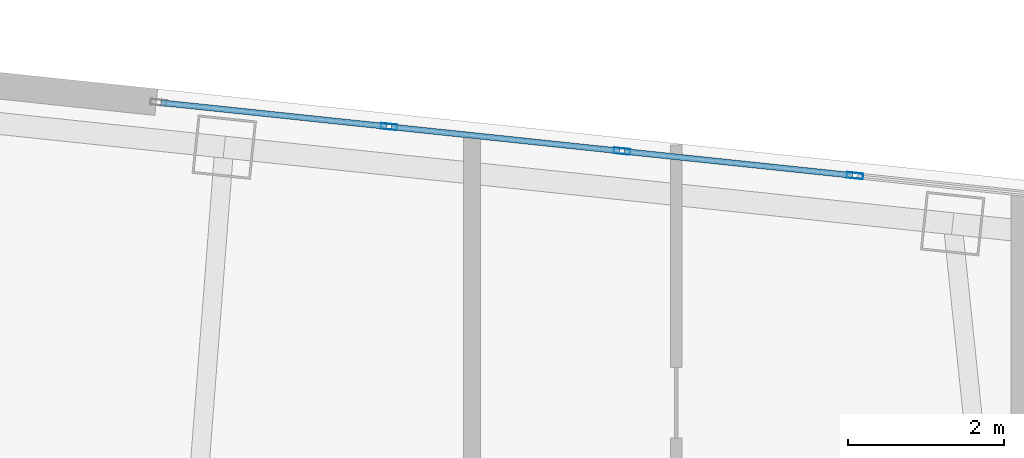
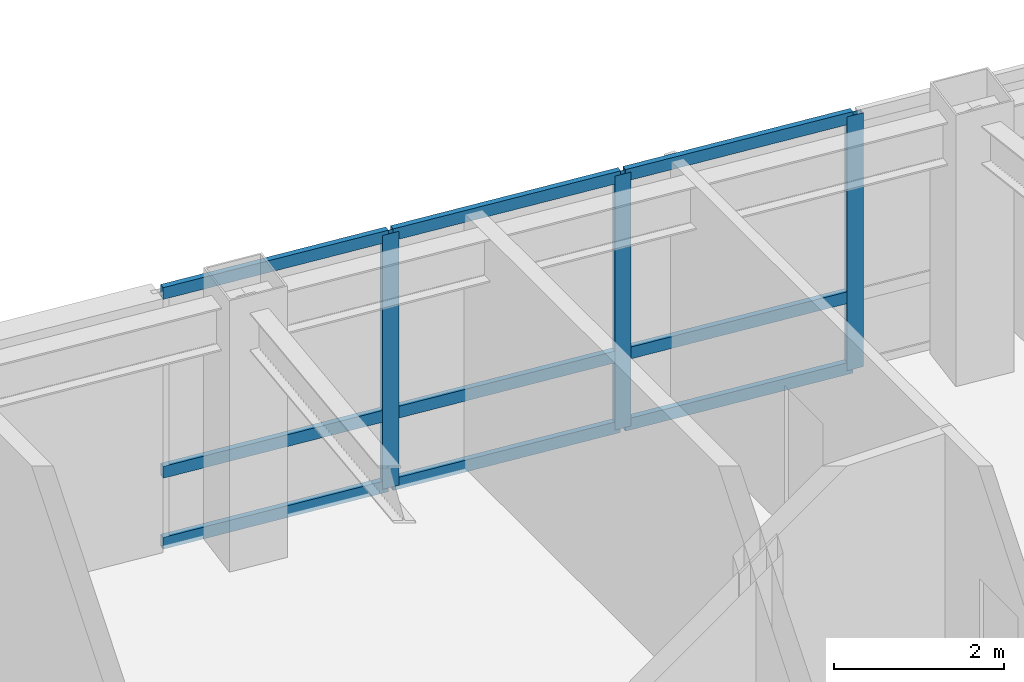
# One storey, part 5 of 16: 12 members, 1 element without a shape of its own.
"""IFC4 building model written with IfcOpenShell, lengths in metres."""

from ifc_helpers import new_model, si_unit, direction, frame, origin, origin_2d, place, context, subcontext, project, spatial, hollow_rectangle, extrude, material, layer, layer_set, material_profile, profile_set, type_object, element, aggregate, save


model = new_model("IFC4")

# Units and contexts
model_context = context("Model", 3, precision=1e-05, world=origin(), true_north=direction((0.0, 1.0)))
body_context = subcontext(model_context, "Body", "Model", "MODEL_VIEW")
ifc_project = project(units=[si_unit("LENGTHUNIT", "METRE"), si_unit("AREAUNIT", "SQUARE_METRE"), si_unit("VOLUMEUNIT", "CUBIC_METRE"), si_unit("PLANEANGLEUNIT", "RADIAN"), si_unit("MASSUNIT", "GRAM", prefix="KILO")], contexts=[model_context])

# Site, building, storey
site_placement = place(None, origin())
site = spatial("IfcSite", under=ifc_project, at=site_placement, CompositionType="ELEMENT")
building_placement = place(site_placement, origin())
building = spatial("IfcBuilding", under=site, at=building_placement, Name="Voryun Gate Residences", CompositionType="ELEMENT")
storey_placement = place(building_placement, frame((0.0, 0.0, 267.800048828125)))
storey = spatial("IfcBuildingStorey", under=building, at=storey_placement, Name="L66", CompositionType="ELEMENT", Elevation=267.800048828125)

# Curtain wall, members
ifc_material_1 = material(Name="Anodised aluminium", Category="aluminium")
ifc_layer = layer(ifc_material_1, 0.2099609375, Name="CW_SYS_SKYGARDEN_DARK_GLASS")
ifc_layer_set = layer_set([ifc_layer], Name="Anodised aluminium")
curtain_wall_type = type_object("IfcCurtainWallType", Name="CW_SYS_SKYGARDEN_DARK_GLASS", PredefinedType="NOTDEFINED", material=ifc_layer_set)
curtain_wall_placement = place(storey_placement, origin())
curtain_wall = element("IfcCurtainWall", 1, at=curtain_wall_placement, inside=storey, type_object=curtain_wall_type, Name="Curtain wall CW5-L66-SG-11", PredefinedType="NOTDEFINED")
ifc_material_2 = material(Name="Anodised aluminium", Category="aluminium")
ifc_material_profile_1 = material_profile(ifc_material_2, hollow_rectangle(XDim=0.074951171875, YDim=0.2099609375, WallThickness=0.0048828125, at=origin_2d()), Name="ALU-MULL-210x75x5")
ifc_profile_set_1 = profile_set([ifc_material_profile_1], Name="Anodised aluminium")
member_type_1 = type_object("IfcMemberType", Name="CW_MULL_SKY", PredefinedType="MULLION", material=ifc_profile_set_1)
member_1_placement = place(storey_placement, frame((-12.559326171875, 19.779541015625, 0.0), z_axis=(0.0, 0.0, 1.0), x_axis=(0.104532256285, 0.994521496699, 0.0)))
member_1 = element("IfcMember", 2, at=member_1_placement, type_object=member_type_1, Name="CW5 mullion 2", PredefinedType="MULLION", context=body_context, shape_type="SweptSolid", body=[
    extrude(hollow_rectangle(XDim=0.074951171875, YDim=0.2099609375, WallThickness=0.0048828125, at=origin_2d()), origin(), (0.0, 0.0, 1.0), 3.64990234375),
])
member_2_placement = place(storey_placement, frame((-9.58251953125, 19.466552734375, 0.0), z_axis=(0.0, 0.0, 1.0), x_axis=(0.104532256285, 0.994521496699, 0.0)))
member_2 = element("IfcMember", 3, at=member_2_placement, type_object=member_type_1, Name="CW5 mullion 3", PredefinedType="MULLION", context=body_context, shape_type="SweptSolid", body=[
    extrude(hollow_rectangle(XDim=0.074951171875, YDim=0.2099609375, WallThickness=0.0048828125, at=origin_2d()), origin(), (0.0, 0.0, 1.0), 3.64990234375),
])
member_3_placement = place(storey_placement, frame((-6.60595703125, 19.15380859375, 0.0), z_axis=(0.0, 0.0, 1.0), x_axis=(0.104532256285, 0.994521496699, 0.0)))
member_3 = element("IfcMember", 4, at=member_3_placement, type_object=member_type_1, Name="CW5 mullion 4", PredefinedType="MULLION", context=body_context, shape_type="SweptSolid", body=[
    extrude(hollow_rectangle(XDim=0.074951171875, YDim=0.2099609375, WallThickness=0.0048828125, at=origin_2d()), origin(), (0.0, 0.0, 1.0), 3.64990234375),
])
ifc_material_3 = material(Name="Anodised aluminium", Category="aluminium")
ifc_material_profile_2 = material_profile(ifc_material_3, hollow_rectangle(XDim=0.074951171875, YDim=0.169921875, WallThickness=0.0048828125, at=origin_2d()), Name="ALU-TRAN-170x75x5")
ifc_profile_set_2 = profile_set([ifc_material_profile_2], Name="Anodised aluminium")
member_type_2 = type_object("IfcMemberType", Name="CW_TRAN_SKY", PredefinedType="USERDEFINED", material=ifc_profile_set_2)
member_4_placement = place(storey_placement, frame((-15.476318359375, 20.0859375, 0.030029296875), z_axis=(0.994521569156, -0.104531566925, 0.0), x_axis=(0.104531566925, 0.994521569156, 0.0)))
member_4 = element("IfcMember", 5, at=member_4_placement, type_object=member_type_2, Name="CW5 transom 1.1", ObjectType="TRANSOM", PredefinedType="USERDEFINED", context=body_context, shape_type="SweptSolid", body=[
    extrude(hollow_rectangle(XDim=0.074951171875, YDim=0.169921875, WallThickness=0.0048828125, at=origin_2d()), origin(), (0.0, 0.0, 1.0), 2.903076171875),
])
member_5_placement = place(storey_placement, frame((-15.476318359375, 20.0859375, 1.050048828125), z_axis=(0.994521569156, -0.104531566925, 0.0), x_axis=(0.104531566925, 0.994521569156, 0.0)))
member_5 = element("IfcMember", 6, at=member_5_placement, type_object=member_type_2, Name="CW5 transom 1.2", ObjectType="TRANSOM", PredefinedType="USERDEFINED", context=body_context, shape_type="SweptSolid", body=[
    extrude(hollow_rectangle(XDim=0.074951171875, YDim=0.169921875, WallThickness=0.0048828125, at=origin_2d()), origin(), (0.0, 0.0, 1.0), 2.903076171875),
])
member_6_placement = place(storey_placement, frame((-15.476318359375, 20.0859375, 3.619873046875), z_axis=(0.994521569156, -0.104531566925, 0.0), x_axis=(0.104531566925, 0.994521569156, 0.0)))
member_6 = element("IfcMember", 7, at=member_6_placement, type_object=member_type_2, Name="CW5 transom 1.3", ObjectType="TRANSOM", PredefinedType="USERDEFINED", context=body_context, shape_type="SweptSolid", body=[
    extrude(hollow_rectangle(XDim=0.074951171875, YDim=0.169921875, WallThickness=0.0048828125, at=origin_2d()), origin(), (0.0, 0.0, 1.0), 2.903076171875),
])
member_7_placement = place(storey_placement, frame((-12.529296875, 19.7763671875, 0.030029296875), z_axis=(0.994519128412, -0.104554785744, 0.0), x_axis=(0.104554785744, 0.994519128412, 0.0)))
member_7 = element("IfcMember", 8, at=member_7_placement, type_object=member_type_2, Name="CW5 transom 2.1", ObjectType="TRANSOM", PredefinedType="USERDEFINED", context=body_context, shape_type="SweptSolid", body=[
    extrude(hollow_rectangle(XDim=0.074951171875, YDim=0.169921875, WallThickness=0.0048828125, at=origin_2d()), origin(), (0.0, 0.0, 1.0), 2.932861328125),
])
member_8_placement = place(storey_placement, frame((-12.529296875, 19.7763671875, 1.050048828125), z_axis=(0.994519128412, -0.104554785744, 0.0), x_axis=(0.104554785744, 0.994519128412, 0.0)))
member_8 = element("IfcMember", 9, at=member_8_placement, type_object=member_type_2, Name="CW5 transom 2.2", ObjectType="TRANSOM", PredefinedType="USERDEFINED", context=body_context, shape_type="SweptSolid", body=[
    extrude(hollow_rectangle(XDim=0.074951171875, YDim=0.169921875, WallThickness=0.0048828125, at=origin_2d()), origin(), (0.0, 0.0, 1.0), 2.932861328125),
])
member_9_placement = place(storey_placement, frame((-12.529296875, 19.7763671875, 3.619873046875), z_axis=(0.994519128412, -0.104554785744, 0.0), x_axis=(0.104554785744, 0.994519128412, 0.0)))
member_9 = element("IfcMember", 10, at=member_9_placement, type_object=member_type_2, Name="CW5 transom 2.3", ObjectType="TRANSOM", PredefinedType="USERDEFINED", context=body_context, shape_type="SweptSolid", body=[
    extrude(hollow_rectangle(XDim=0.074951171875, YDim=0.169921875, WallThickness=0.0048828125, at=origin_2d()), origin(), (0.0, 0.0, 1.0), 2.932861328125),
])
member_10_placement = place(storey_placement, frame((-9.552734375, 19.46337890625, 0.030029296875), z_axis=(0.994520038301, -0.104546130575, 0.0), x_axis=(0.104546130575, 0.994520038301, 0.0)))
member_10 = element("IfcMember", 11, at=member_10_placement, type_object=member_type_2, Name="CW5 transom 3.1", ObjectType="TRANSOM", PredefinedType="USERDEFINED", context=body_context, shape_type="SweptSolid", body=[
    extrude(hollow_rectangle(XDim=0.074951171875, YDim=0.169921875, WallThickness=0.0048828125, at=origin_2d()), origin(), (0.0, 0.0, 1.0), 2.93310546875),
])
member_11_placement = place(storey_placement, frame((-9.552734375, 19.46337890625, 1.050048828125), z_axis=(0.994520038301, -0.104546130575, 0.0), x_axis=(0.104546130575, 0.994520038301, 0.0)))
member_11 = element("IfcMember", 12, at=member_11_placement, type_object=member_type_2, Name="CW5 transom 3.2", ObjectType="TRANSOM", PredefinedType="USERDEFINED", context=body_context, shape_type="SweptSolid", body=[
    extrude(hollow_rectangle(XDim=0.074951171875, YDim=0.169921875, WallThickness=0.0048828125, at=origin_2d()), origin(), (0.0, 0.0, 1.0), 2.93310546875),
])
member_12_placement = place(storey_placement, frame((-9.552734375, 19.46337890625, 3.619873046875), z_axis=(0.994520038301, -0.104546130575, 0.0), x_axis=(0.104546130575, 0.994520038301, 0.0)))
member_12 = element("IfcMember", 13, at=member_12_placement, type_object=member_type_2, Name="CW5 transom 3.3", ObjectType="TRANSOM", PredefinedType="USERDEFINED", context=body_context, shape_type="SweptSolid", body=[
    extrude(hollow_rectangle(XDim=0.074951171875, YDim=0.169921875, WallThickness=0.0048828125, at=origin_2d()), origin(), (0.0, 0.0, 1.0), 2.93310546875),
])
aggregate(curtain_wall, [member_1, member_2, member_3, member_4, member_5, member_6, member_7, member_8, member_9, member_10, member_11, member_12])

save(model, "model.ifc")
